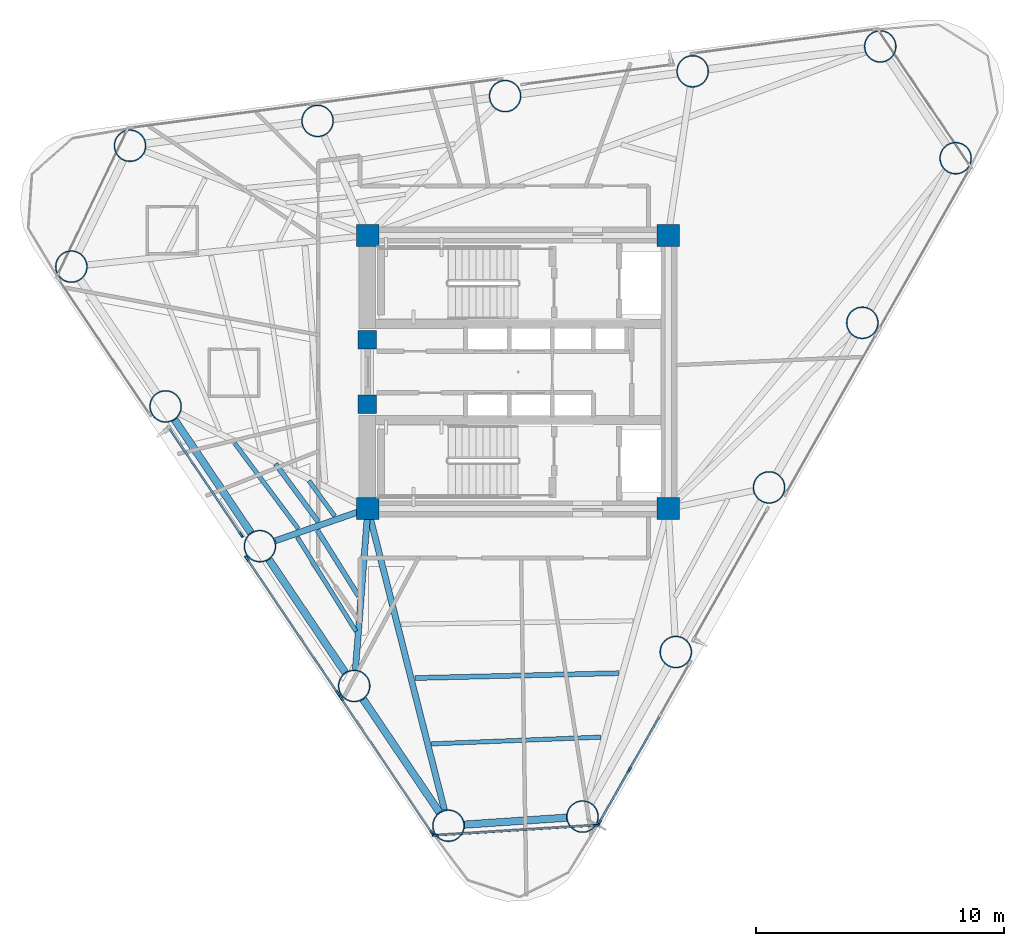
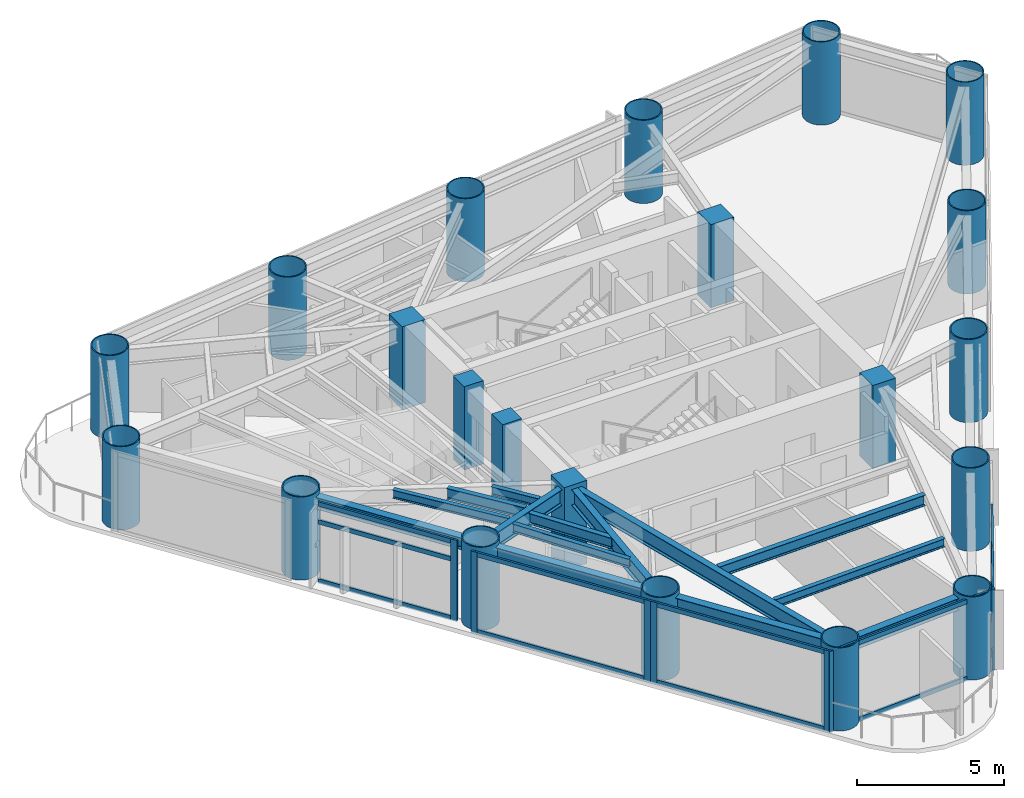
# One storey, part 1 of 10: 24 members, 21 columns, 14 beams, 5 elements without a shape of their own.
"""IFC4 building model written with IfcOpenShell, lengths in metres."""

import ifcopenshell
import ifcopenshell.guid

model = None  # the IFC model being written
_history = None  # IfcOwnerHistory: only IFC2X3 demands one
_inside = {}  # id of a spatial element -> (the spatial element, [elements in it])
_under = {}  # id of a project, library or spatial element -> (it, [spatial elements below it])
_declared = {}  # id of a project -> (the project, [libraries it declares])
_typed = {}  # id of a type object -> (the type object, [elements of that type])
_made_of = {}  # id of a material, layer set ... -> (it, [elements and type objects made of it])


def new_model(schema):
    """Start an empty IFC model of exactly this schema.

    Asked for "IFC4X3", IfcOpenShell would pick the latest addendum, in which some entities
    have other attributes; the version numbers below select the first issue.
    IFC2X3 requires an IfcOwnerHistory on every rooted entity: one is made here for all.
    """
    global model, _history
    if schema == "IFC4X3":
        model = ifcopenshell.file(schema_version=(4, 3, 0, 0))
    else:
        model = ifcopenshell.file(schema=schema)
    _inside.clear()
    _under.clear()
    _declared.clear()
    _typed.clear()
    _made_of.clear()
    _history = None
    if model.schema == "IFC2X3":
        org = make("IfcOrganization", Name="unknown")
        user = make(
            "IfcPersonAndOrganization",
            ThePerson=make("IfcPerson", FamilyName="unknown"),
            TheOrganization=org,
        )
        app = make(
            "IfcApplication",
            ApplicationDeveloper=org,
            Version="unknown",
            ApplicationFullName="unknown",
            ApplicationIdentifier="unknown",
        )
        _history = make(
            "IfcOwnerHistory",
            OwningUser=user,
            OwningApplication=app,
            ChangeAction="ADDED",
            CreationDate=0,
        )
    return model


def make(cls, **values):
    """One entity of the class cls with the attributes given. An attribute that is None is left unset."""
    return model.create_entity(
        cls, **{name: value for name, value in values.items() if value is not None}
    )


def rooted(cls, **values):
    """An entity with a GlobalId (a new one), such as an element, a storey or a relation."""
    return make(cls, GlobalId=ifcopenshell.guid.new(), OwnerHistory=_history, **values)


def si_unit(unit_type, name, prefix=None):
    """IfcSIUnit, for example si_unit("LENGTHUNIT", "METRE", prefix="MILLI")."""
    return make("IfcSIUnit", UnitType=unit_type, Prefix=prefix, Name=name)


def assignment(units):
    """IfcUnitAssignment: the units of a project."""
    return None if units is None else make("IfcUnitAssignment", Units=units)


def point(xyz):
    """IfcCartesianPoint."""
    return None if xyz is None else make("IfcCartesianPoint", Coordinates=xyz)


def direction(xyz):
    """IfcDirection."""
    return None if xyz is None else make("IfcDirection", DirectionRatios=xyz)


def frame(location, z_axis=None, x_axis=None):
    """IfcAxis2Placement3D, a coordinate frame: its origin and axes. An axis left out is left unset."""
    return make(
        "IfcAxis2Placement3D",
        Location=point(location),
        Axis=direction(z_axis),
        RefDirection=direction(x_axis),
    )


def frame_2d(location, x_axis=None):
    """IfcAxis2Placement2D, a coordinate frame in the plane: its origin and x axis."""
    return make(
        "IfcAxis2Placement2D", Location=point(location), RefDirection=direction(x_axis)
    )


def origin():
    """The frame at (0, 0, 0) with its axes left unset."""
    return frame((0.0, 0.0, 0.0))


def origin_2d():
    """The frame at (0, 0) in the plane with its x axis left unset."""
    return frame_2d((0.0, 0.0))


def place(relative_to, where):
    """IfcLocalPlacement: puts the frame where relative to a parent placement (None: the world)."""
    return make(
        "IfcLocalPlacement", PlacementRelTo=relative_to, RelativePlacement=where
    )


def context(
    kind, dimensions, precision=None, world=None, true_north=None, identifier=None
):
    """IfcGeometricRepresentationContext, for example the 3D "Model" context."""
    return make(
        "IfcGeometricRepresentationContext",
        ContextIdentifier=identifier,
        ContextType=kind,
        CoordinateSpaceDimension=dimensions,
        Precision=precision,
        WorldCoordinateSystem=world,
        TrueNorth=true_north,
    )


def subcontext(parent, identifier, kind, view, scale=None):
    """IfcGeometricRepresentationSubContext, for example "Body" below "Model"."""
    return make(
        "IfcGeometricRepresentationSubContext",
        ContextIdentifier=identifier,
        ContextType=kind,
        ParentContext=parent,
        TargetScale=scale,
        TargetView=view,
    )


def project(units=None, contexts=None):
    """IfcProject with its units and contexts."""
    return rooted(
        "IfcProject",
        Name="project",
        RepresentationContexts=contexts,
        UnitsInContext=assignment(units),
    )


def spatial(cls, under=None, at=None, **own):
    """A site, building, storey or space (cls), placed at a placement, below another one or the project."""
    s = rooted(cls, ObjectPlacement=at, **own)
    if under is not None:
        _under.setdefault(under.id(), (under, []))[1].append(s)
    return s


def profile(cls, at=None, kind="AREA", **sizes):
    """A parametric profile (cls). Its sizes go by their IFC names, for example OverallWidth=200.0."""
    return make(cls, ProfileType=kind, Position=at, **sizes)


def rectangle(**sizes):
    """IfcRectangleProfileDef."""
    return profile("IfcRectangleProfileDef", **sizes)


def hollow_circle(**sizes):
    """IfcCircleHollowProfileDef."""
    return profile("IfcCircleHollowProfileDef", **sizes)


def i_section(**sizes):
    """IfcIShapeProfileDef."""
    return profile("IfcIShapeProfileDef", **sizes)


def extrude(swept, where, along, depth):
    """IfcExtrudedAreaSolid: the profile swept, set in the frame where, extruded along a direction by depth."""
    return make(
        "IfcExtrudedAreaSolid",
        SweptArea=swept,
        Position=where,
        ExtrudedDirection=direction(along),
        Depth=depth,
    )


def shape(context_of_items, identifier, shape_type, items):
    """IfcShapeRepresentation: the items that make up one representation, for example the "Body"."""
    return make(
        "IfcShapeRepresentation",
        ContextOfItems=context_of_items,
        RepresentationIdentifier=identifier,
        RepresentationType=shape_type,
        Items=items,
    )


def source(mapping_origin, context_of_items, identifier, shape_type, items):
    """IfcRepresentationMap: a shape defined once, which mapped items show again and again."""
    return make(
        "IfcRepresentationMap",
        MappingOrigin=mapping_origin,
        MappedRepresentation=shape(context_of_items, identifier, shape_type, items),
    )


def transform(
    local_origin,
    x_axis=None,
    y_axis=None,
    z_axis=None,
    scale=None,
    scale2=None,
    scale3=None,
    uniform=True,
):
    """IfcCartesianTransformationOperator3D, or its non-uniform kind. x_axis, y_axis, z_axis: its Axis1, 2, 3."""
    if uniform:
        return make(
            "IfcCartesianTransformationOperator3D",
            Axis1=direction(x_axis),
            Axis2=direction(y_axis),
            LocalOrigin=point(local_origin),
            Scale=scale,
            Axis3=direction(z_axis),
        )
    return make(
        "IfcCartesianTransformationOperator3DnonUniform",
        Axis1=direction(x_axis),
        Axis2=direction(y_axis),
        LocalOrigin=point(local_origin),
        Scale=scale,
        Axis3=direction(z_axis),
        Scale2=scale2,
        Scale3=scale3,
    )


def mapped(mapping_source, mapping_target):
    """IfcMappedItem: shows the shape of a source again, moved by a transform."""
    return make(
        "IfcMappedItem", MappingSource=mapping_source, MappingTarget=mapping_target
    )


def material(Name=None, Category=None):
    """IfcMaterial."""
    return make("IfcMaterial", Name=Name, Category=Category)


def layer(
    of_material, thickness, ventilated=None, Name=None, Category=None, Priority=None
):
    """IfcMaterialLayer: one layer of a wall or slab, of a material (None: an air gap)."""
    return make(
        "IfcMaterialLayer",
        Material=of_material,
        LayerThickness=thickness,
        IsVentilated=ventilated,
        Name=Name,
        Category=Category,
        Priority=Priority,
    )


def layer_set(layers, Name=None):
    """IfcMaterialLayerSet."""
    return make("IfcMaterialLayerSet", MaterialLayers=layers, LayerSetName=Name)


def material_profile(
    of_material, cross_section, Name=None, Category=None, Priority=None
):
    """IfcMaterialProfile: a cross section and its material."""
    return make(
        "IfcMaterialProfile",
        Name=Name,
        Material=of_material,
        Profile=cross_section,
        Priority=Priority,
        Category=Category,
    )


def profile_set(profiles, Name=None, composite=None):
    """IfcMaterialProfileSet."""
    return make(
        "IfcMaterialProfileSet",
        Name=Name,
        MaterialProfiles=profiles,
        CompositeProfile=composite,
    )


def made_of(thing, what):
    """Note that an element or type object is made of a material, layer set ...; save() writes the relation."""
    if what is not None:
        _made_of.setdefault(what.id(), (what, []))[1].append(thing)
    return thing


def type_object(cls, material=None, **own):
    """A type object (cls), such as IfcWallType, which elements share."""
    return made_of(rooted(cls, **own), material)


def element(
    cls,
    number,
    at=None,
    inside=None,
    cuts=None,
    type_object=None,
    material=None,
    context=None,
    identifier="Body",
    shape_type=None,
    held_by="IfcProductDefinitionShape",
    body=None,
    shapes=None,
    **own,
):
    """One element of the class cls, such as IfcWall. Its Tag is "e" and its number.

    at: its placement. inside: the storey or other place that contains it. cuts: it is an
    opening in that element (IfcRelVoidsElement). A single representation is given by context,
    identifier, shape_type and body (its items); several are given by shapes. held_by: the class
    of the entity that holds the representations. save() writes the other relations.
    """
    e = rooted(cls, Tag="e%d" % number, ObjectPlacement=at, **own)
    if body is not None:
        shapes = [shape(context, identifier, shape_type, body)]
    if shapes is not None:
        e.Representation = make(held_by, Representations=shapes)
    if inside is not None:
        _inside.setdefault(inside.id(), (inside, []))[1].append(e)
    if cuts is not None:
        rooted(
            "IfcRelVoidsElement", RelatingBuildingElement=cuts, RelatedOpeningElement=e
        )
    if type_object is not None:
        _typed.setdefault(type_object.id(), (type_object, []))[1].append(e)
    return made_of(e, material)


def aggregate(whole, parts):
    """IfcRelAggregates: a whole, such as a stair, and the parts it consists of."""
    return rooted("IfcRelAggregates", RelatingObject=whole, RelatedObjects=parts)


def save(model, path):
    """Write the relations noted so far, then the file.

    IfcRelAggregates (storeys below a building ...), IfcRelContainedInSpatialStructure (elements
    in a storey), IfcRelDefinesByType, IfcRelAssociatesMaterial and IfcRelDeclares: one each for
    every whole, place, type object, material and project.
    """
    for whole, parts in _under.values():
        aggregate(whole, parts)
    for where, things in _inside.values():
        rooted(
            "IfcRelContainedInSpatialStructure",
            RelatedElements=things,
            RelatingStructure=where,
        )
    for kind, things in _typed.values():
        rooted("IfcRelDefinesByType", RelatedObjects=things, RelatingType=kind)
    for what, things in _made_of.values():
        rooted("IfcRelAssociatesMaterial", RelatedObjects=things, RelatingMaterial=what)
    for by, libraries in _declared.values():
        rooted("IfcRelDeclares", RelatingContext=by, RelatedDefinitions=libraries)
    model.write(path)


model = new_model("IFC4")

# Units and contexts
model_context = context("Model", 3, precision=1e-05, world=origin(), true_north=direction((0.0, 1.0)))
body_context = subcontext(model_context, "Body", "Model", "MODEL_VIEW")
ifc_project = project(units=[si_unit("LENGTHUNIT", "METRE"), si_unit("AREAUNIT", "SQUARE_METRE"), si_unit("VOLUMEUNIT", "CUBIC_METRE"), si_unit("PLANEANGLEUNIT", "RADIAN"), si_unit("MASSUNIT", "GRAM", prefix="KILO")], contexts=[model_context])

# Site, building, storey
site_placement = place(None, origin())
site = spatial("IfcSite", under=ifc_project, at=site_placement, CompositionType="ELEMENT")
building_placement = place(site_placement, origin())
building = spatial("IfcBuilding", under=site, at=building_placement, Name="Yunling Apex Tower", CompositionType="ELEMENT")
storey_placement = place(building_placement, frame((0.0, 0.0, 158.75)))
storey = spatial("IfcBuildingStorey", under=building, at=storey_placement, Name="L38", CompositionType="ELEMENT", Elevation=158.75)

# Columns
ifc_material_1 = material(Name="Concrete C60", Category="concrete")
ifc_material_profile_1 = material_profile(ifc_material_1, rectangle(XDim=0.89990234375, YDim=0.89990234375, at=origin_2d()))
ifc_profile_set_1 = profile_set([ifc_material_profile_1], Name="Concrete C60")
column_type_1 = type_object("IfcColumnType", Name="PC-SRC-3", PredefinedType="COLUMN", material=ifc_profile_set_1)
shared_shape_1 = source(origin(), body_context, "Body", "SweptSolid", [
    extrude(rectangle(XDim=0.89990234375, YDim=0.89990234375, at=origin_2d()), origin(), (0.0, 0.0, 1.0), 3.449951171875),
])
for number, where, z_axis, x_axis, name in (
    (1, (-6.050048828125, -5.5, 0.0), (0.0, 0.0, 1.0), (1.0, 0.0, 0.0), "L38 Core Spine Column CC-SW"),
    (2, (6.050048828125, -5.5, 0.0), (0.0, 0.0, 1.0), (1.0, 0.0, 0.0), "L38 Core Spine Column CC-SE"),
    (3, (6.050048828125, 5.5, 0.0), (0.0, 0.0, 1.0), (1.0, 0.0, 0.0), "L38 Core Spine Column CC-NE"),
    (4, (-6.050048828125, 5.5, 0.0), (0.0, 0.0, 1.0), (1.0, 0.0, 0.0), "L38 Core Spine Column CC-NW"),
):
    element("IfcColumn", number, at=place(storey_placement, frame(where, z_axis=z_axis, x_axis=x_axis)), inside=storey, type_object=column_type_1, Name=name, PredefinedType="COLUMN", context=body_context, shape_type="MappedRepresentation", body=[
        mapped(shared_shape_1, transform((0.0, 0.0, 0.0), scale=1.0)),
    ])
ifc_material_2 = material(Name="Concrete C50", Category="concrete")
ifc_material_profile_2 = material_profile(ifc_material_2, rectangle(XDim=0.75, YDim=0.75, at=origin_2d()))
ifc_profile_set_2 = profile_set([ifc_material_profile_2], Name="Concrete C50")
column_type_2 = type_object("IfcColumnType", Name="PC-SRC-4", PredefinedType="COLUMN", material=ifc_profile_set_2)
shared_shape_2 = source(origin(), body_context, "Body", "SweptSolid", [
    extrude(rectangle(XDim=0.75, YDim=0.75, at=origin_2d()), origin(), (0.0, 0.0, 1.0), 3.449951171875),
])
for number, where, z_axis, x_axis, name in (
    (5, (-6.074951171875, -1.300048828125, 0.0), (0.0, 0.0, 1.0), (1.0, 0.0, 0.0), "L38 Core West Portal Jamb Column S"),
    (6, (-6.074951171875, 1.300048828125, 0.0), (0.0, 0.0, 1.0), (1.0, 0.0, 0.0), "L38 Core West Portal Jamb Column N"),
):
    element("IfcColumn", number, at=place(storey_placement, frame(where, z_axis=z_axis, x_axis=x_axis)), inside=storey, type_object=column_type_2, Name=name, PredefinedType="COLUMN", context=body_context, shape_type="MappedRepresentation", body=[
        mapped(shared_shape_2, transform((0.0, 0.0, 0.0), scale=1.0)),
    ])
ifc_material_3 = material(Name="Steel Q390GJC", Category="steel")
ifc_material_profile_3 = material_profile(ifc_material_3, hollow_circle(Radius=0.64990234375, WallThickness=0.044921875, at=origin_2d()))
ifc_profile_set_3 = profile_set([ifc_material_profile_3], Name="Steel Q390GJC")
column_type_3 = type_object("IfcColumnType", Name="MC-CFST-3", PredefinedType="COLUMN", material=ifc_profile_set_3)
shared_shape_3 = source(origin(), body_context, "Body", "SweptSolid", [
    extrude(hollow_circle(Radius=0.64990234375, WallThickness=0.044921875, at=origin_2d()), origin(), (0.0, 0.0, 1.0), 3.449951171875),
])
for number, where, z_axis, x_axis, name in (
    (7, (2.5947265625, -17.907958984375, 0.0), (0.0, 0.0, 1.0), (1.0, 0.0, 0.0), "L38 Perimeter CFST Mega-Column P01"),
    (8, (6.351806640625, -11.27783203125, 0.0), (0.0, 0.0, 1.0), (1.0, 0.0, 0.0), "L38 Perimeter CFST Mega-Column P02"),
    (9, (10.109130859375, -4.64794921875, 0.0), (0.0, 0.0, 1.0), (1.0, 0.0, 0.0), "L38 Perimeter CFST Mega-Column P03"),
    (10, (13.8662109375, 1.982177734375, 0.0), (0.0, 0.0, 1.0), (1.0, 0.0, 0.0), "L38 Perimeter CFST Mega-Column P04"),
    (11, (17.62353515625, 8.612060546875, 0.0), (0.0, 0.0, 1.0), (1.0, 0.0, 0.0), "L38 Perimeter CFST Mega-Column P05"),
    (12, (14.5869140625, 13.114013671875, 0.0), (0.0, 0.0, 1.0), (1.0, 0.0, 0.0), "L38 Perimeter CFST Mega-Column P06"),
    (13, (7.0322265625, 12.114013671875, 0.0), (0.0, 0.0, 1.0), (1.0, 0.0, 0.0), "L38 Perimeter CFST Mega-Column P07"),
    (14, (-0.5224609375, 11.114013671875, 0.0), (0.0, 0.0, 1.0), (1.0, 0.0, 0.0), "L38 Perimeter CFST Mega-Column P08"),
    (15, (-8.0771484375, 10.1142578125, 0.0), (0.0, 0.0, 1.0), (1.0, 0.0, 0.0), "L38 Perimeter CFST Mega-Column P09"),
    (16, (-15.6318359375, 9.1142578125, 0.0), (0.0, 0.0, 1.0), (1.0, 0.0, 0.0), "L38 Perimeter CFST Mega-Column P10"),
    (17, (-17.9951171875, 4.2451171875, 0.0), (0.0, 0.0, 1.0), (1.0, 0.0, 0.0), "L38 Perimeter CFST Mega-Column P11"),
    (18, (-14.197509765625, -1.384765625, 0.0), (0.0, 0.0, 1.0), (1.0, 0.0, 0.0), "L38 Perimeter CFST Mega-Column P12"),
    (19, (-10.39990234375, -7.014892578125, 0.0), (0.0, 0.0, 1.0), (1.0, 0.0, 0.0), "L38 Perimeter CFST Mega-Column P13"),
    (20, (-6.6025390625, -12.64501953125, 0.0), (0.0, 0.0, 1.0), (1.0, 0.0, 0.0), "L38 Perimeter CFST Mega-Column P14"),
    (21, (-2.804931640625, -18.27490234375, 0.0), (0.0, 0.0, 1.0), (1.0, 0.0, 0.0), "L38 Perimeter CFST Mega-Column P15"),
):
    element("IfcColumn", number, at=place(storey_placement, frame(where, z_axis=z_axis, x_axis=x_axis)), inside=storey, type_object=column_type_3, Name=name, PredefinedType="COLUMN", context=body_context, shape_type="MappedRepresentation", body=[
        mapped(shared_shape_3, transform((0.0, 0.0, 0.0), scale=1.0)),
    ])

# Beams
ifc_material_4 = material(Name="Steel Q355B", Category="steel")
ifc_material_profile_4 = material_profile(ifc_material_4, i_section(OverallWidth=0.300048828125, OverallDepth=0.489990234375, WebThickness=0.010986328125, FlangeThickness=0.01806640625, FilletRadius=0.02197265625, at=origin_2d()))
ifc_profile_set_4 = profile_set([ifc_material_profile_4], Name="Steel Q355B")
beam_type_1 = type_object("IfcBeamType", Name="BP-SPN-2", PredefinedType="SPANDREL", material=ifc_profile_set_4)
shared_shape_4 = source(origin(), body_context, "Body", "SweptSolid", [
    extrude(i_section(OverallWidth=0.300048828125, OverallDepth=0.489990234375, WebThickness=0.010986328125, FlangeThickness=0.01806640625, FilletRadius=0.02197265625, at=origin_2d()), origin(), (0.0, 0.0, 1.0), 5.5029296875),
])
beam_1_placement = place(storey_placement, frame((-10.039794921875, -7.548828125, 3.02490234375), z_axis=(0.559176417619, -0.829048692164, 0.0), x_axis=(0.829048692164, 0.559176417619, 0.0)))
element("IfcBeam", 22, at=beam_1_placement, inside=storey, type_object=beam_type_1, Name="L38 Perimeter Spandrel Beam 13", PredefinedType="SPANDREL", context=body_context, shape_type="MappedRepresentation", body=[
    mapped(shared_shape_4, transform((0.0, 0.0, 0.0), scale=1.0)),
])
shared_shape_5 = source(origin(), body_context, "Body", "SweptSolid", [
    extrude(i_section(OverallWidth=0.300048828125, OverallDepth=0.489990234375, WebThickness=0.010986328125, FlangeThickness=0.01806640625, FilletRadius=0.02197265625, at=origin_2d()), origin(), (0.0, 0.0, 1.0), 5.503173828125),
])
beam_2_placement = place(storey_placement, frame((-13.83740234375, -1.918701171875, 3.02490234375), z_axis=(0.55920690951, -0.82902812519, 0.0), x_axis=(0.82902812519, 0.55920690951, 0.0)))
element("IfcBeam", 23, at=beam_2_placement, inside=storey, type_object=beam_type_1, Name="L38 Perimeter Spandrel Beam 12", PredefinedType="SPANDREL", context=body_context, shape_type="MappedRepresentation", body=[
    mapped(shared_shape_5, transform((0.0, 0.0, 0.0), scale=1.0)),
])
shared_shape_6 = source(origin(), body_context, "Body", "SweptSolid", [
    extrude(i_section(OverallWidth=0.300048828125, OverallDepth=0.489990234375, WebThickness=0.010986328125, FlangeThickness=0.01806640625, FilletRadius=0.02197265625, at=origin_2d()), origin(), (0.0, 0.0, 1.0), 5.50341796875),
])
beam_3_placement = place(storey_placement, frame((-6.242431640625, -13.1787109375, 3.02490234375), z_axis=(0.55918634307, -0.829041997564, 0.0), x_axis=(0.829041997564, 0.55918634307, 0.0)))
element("IfcBeam", 24, at=beam_3_placement, inside=storey, type_object=beam_type_1, Name="L38 Perimeter Spandrel Beam 14", PredefinedType="SPANDREL", context=body_context, shape_type="MappedRepresentation", body=[
    mapped(shared_shape_6, transform((0.0, 0.0, 0.0), scale=1.0)),
])
shared_shape_7 = source(origin(), body_context, "Body", "SweptSolid", [
    extrude(i_section(OverallWidth=0.300048828125, OverallDepth=0.489990234375, WebThickness=0.010986328125, FlangeThickness=0.01806640625, FilletRadius=0.02197265625, at=origin_2d()), origin(), (0.0, 0.0, 1.0), 4.124267578125),
])
beam_4_placement = place(storey_placement, frame((-2.16259765625, -18.231201171875, 3.02490234375), z_axis=(0.997700280582, 0.067780160274, 0.0), x_axis=(-0.067780160274, 0.997700280582, 0.0)))
element("IfcBeam", 25, at=beam_4_placement, inside=storey, type_object=beam_type_1, Name="L38 Perimeter Spandrel Beam 15", PredefinedType="SPANDREL", context=body_context, shape_type="MappedRepresentation", body=[
    mapped(shared_shape_7, transform((0.0, 0.0, 0.0), scale=1.0)),
])
ifc_material_profile_5 = material_profile(ifc_material_4, i_section(OverallWidth=0.25, OverallDepth=0.64990234375, WebThickness=0.011962890625, FlangeThickness=0.02001953125, FilletRadius=0.02392578125, at=origin_2d()))
ifc_profile_set_5 = profile_set([ifc_material_profile_5], Name="Steel Q355B")
beam_type_2 = type_object("IfcBeamType", Name="BG-PRI-4", PredefinedType="USERDEFINED", material=ifc_profile_set_5)
shared_shape_8 = source(origin(), body_context, "Body", "SweptSolid", [
    extrude(i_section(OverallWidth=0.25, OverallDepth=0.64990234375, WebThickness=0.011962890625, FlangeThickness=0.02001953125, FilletRadius=0.02392578125, at=origin_2d()), origin(), (0.0, 0.0, 1.0), 3.8681640625),
])
beam_5_placement = place(storey_placement, frame((-9.778564453125, -6.798583984375, 2.945068359375), z_axis=(0.944369860351, 0.328885339991, 0.0), x_axis=(-0.328885339991, 0.944369860351, 0.0)))
element("IfcBeam", 26, at=beam_5_placement, inside=storey, type_object=beam_type_2, Name="L38 Radial Primary Girder R13", ObjectType="GIRDER", PredefinedType="USERDEFINED", context=body_context, shape_type="MappedRepresentation", body=[
    mapped(shared_shape_8, transform((0.0, 0.0, 0.0), scale=1.0)),
])
shared_shape_9 = source(origin(), body_context, "Body", "SweptSolid", [
    extrude(i_section(OverallWidth=0.25, OverallDepth=0.64990234375, WebThickness=0.011962890625, FlangeThickness=0.02001953125, FilletRadius=0.02392578125, at=origin_2d()), origin(), (0.0, 0.0, 1.0), 6.42822265625),
])
beam_6_placement = place(storey_placement, frame((-6.5517578125, -11.989013671875, 2.945068359375), z_axis=(0.077097282386, 0.997023574971, 0.0), x_axis=(-0.997023574971, 0.077097282386, 0.0)))
element("IfcBeam", 27, at=beam_6_placement, inside=storey, type_object=beam_type_2, Name="L38 Radial Primary Girder R14", ObjectType="GIRDER", PredefinedType="USERDEFINED", context=body_context, shape_type="MappedRepresentation", body=[
    mapped(shared_shape_9, transform((0.0, 0.0, 0.0), scale=1.0)),
])
shared_shape_10 = source(origin(), body_context, "Body", "SweptSolid", [
    extrude(i_section(OverallWidth=0.25, OverallDepth=0.64990234375, WebThickness=0.011962890625, FlangeThickness=0.02001953125, FilletRadius=0.02392578125, at=origin_2d()), origin(), (0.0, 0.0, 1.0), 12.44287109375),
])
beam_7_placement = place(storey_placement, frame((-2.967041015625, -17.63720703125, 2.945068359375), z_axis=(-0.246185736667, 0.969222669494, 0.0), x_axis=(-0.969222669494, -0.246185736667, 0.0)))
element("IfcBeam", 28, at=beam_7_placement, inside=storey, type_object=beam_type_2, Name="L38 Radial Primary Girder R15", ObjectType="GIRDER", PredefinedType="USERDEFINED", context=body_context, shape_type="MappedRepresentation", body=[
    mapped(shared_shape_10, transform((0.0, 0.0, 0.0), scale=1.0)),
])
ifc_material_profile_6 = material_profile(ifc_material_4, i_section(OverallWidth=0.199951171875, OverallDepth=0.449951171875, WebThickness=0.009033203125, FlangeThickness=0.013916015625, FilletRadius=0.01806640625, at=origin_2d()))
ifc_profile_set_6 = profile_set([ifc_material_profile_6], Name="Steel Q355B")
beam_type_3 = type_object("IfcBeamType", Name="BS-SEC-3", PredefinedType="BEAM", material=ifc_profile_set_6)
shared_shape_11 = source(origin(), body_context, "Body", "SweptSolid", [
    extrude(i_section(OverallWidth=0.199951171875, OverallDepth=0.449951171875, WebThickness=0.009033203125, FlangeThickness=0.013916015625, FilletRadius=0.01806640625, at=origin_2d()), origin(), (0.0, 0.0, 1.0), 2.900146484375),
])
beam_8_placement = place(storey_placement, frame((-9.770751953125, -3.701416015625, 3.044921875), z_axis=(0.594341352087, -0.804212880523, 0.0), x_axis=(0.804212880523, 0.594341352087, 0.0)))
element("IfcBeam", 29, at=beam_8_placement, inside=storey, type_object=beam_type_3, Name="L38 Composite Floor Beam BS-12", PredefinedType="BEAM", context=body_context, shape_type="MappedRepresentation", body=[
    mapped(shared_shape_11, transform((0.0, 0.0, 0.0), scale=1.0)),
])
ifc_material_profile_7 = material_profile(ifc_material_4, i_section(OverallWidth=0.175048828125, OverallDepth=0.35009765625, WebThickness=0.007080078125, FlangeThickness=0.010986328125, FilletRadius=0.013916015625, at=origin_2d()))
ifc_profile_set_7 = profile_set([ifc_material_profile_7], Name="Steel Q355B")
beam_type_4 = type_object("IfcBeamType", Name="BJ-JST-1", PredefinedType="JOIST", material=ifc_profile_set_7)
shared_shape_12 = source(origin(), body_context, "Body", "SweptSolid", [
    extrude(i_section(OverallWidth=0.175048828125, OverallDepth=0.35009765625, WebThickness=0.007080078125, FlangeThickness=0.010986328125, FilletRadius=0.013916015625, at=origin_2d()), origin(), (0.0, 0.0, 1.0), 4.2958984375),
])
beam_9_placement = place(storey_placement, frame((-11.417724609375, -2.868896484375, 3.094970703125), z_axis=(0.597405367493, -0.801939415972, 0.0), x_axis=(0.801939415972, 0.597405367493, 0.0)))
element("IfcBeam", 30, at=beam_9_placement, inside=storey, type_object=beam_type_4, Name="L38 Composite Floor Joist BJ1-12", PredefinedType="JOIST", context=body_context, shape_type="MappedRepresentation", body=[
    mapped(shared_shape_12, transform((0.0, 0.0, 0.0), scale=1.0)),
])
shared_shape_13 = source(origin(), body_context, "Body", "SweptSolid", [
    extrude(i_section(OverallWidth=0.175048828125, OverallDepth=0.35009765625, WebThickness=0.007080078125, FlangeThickness=0.010986328125, FilletRadius=0.013916015625, at=origin_2d()), origin(), (0.0, 0.0, 1.0), 1.75830078125),
])
beam_10_placement = place(storey_placement, frame((-8.423583984375, -4.3828125, 3.094970703125), z_axis=(0.58860919459, -0.808417723732, 0.0), x_axis=(0.808417723732, 0.58860919459, 0.0)))
element("IfcBeam", 31, at=beam_10_placement, inside=storey, type_object=beam_type_4, Name="L38 Composite Floor Joist BJ3-12", PredefinedType="JOIST", context=body_context, shape_type="MappedRepresentation", body=[
    mapped(shared_shape_13, transform((0.0, 0.0, 0.0), scale=1.0)),
])
shared_shape_14 = source(origin(), body_context, "Body", "SweptSolid", [
    extrude(i_section(OverallWidth=0.199951171875, OverallDepth=0.449951171875, WebThickness=0.009033203125, FlangeThickness=0.013916015625, FilletRadius=0.01806640625, at=origin_2d()), origin(), (0.0, 0.0, 1.0), 3.138427734375),
])
beam_11_placement = place(storey_placement, frame((-8.086181640625, -6.374267578125, 3.044921875), z_axis=(0.531291876234, -0.847188846862, 0.0), x_axis=(0.847188846862, 0.531291876234, 0.0)))
element("IfcBeam", 32, at=beam_11_placement, inside=storey, type_object=beam_type_3, Name="L38 Composite Floor Beam BS-13", PredefinedType="BEAM", context=body_context, shape_type="MappedRepresentation", body=[
    mapped(shared_shape_14, transform((0.0, 0.0, 0.0), scale=1.0)),
])
shared_shape_15 = source(origin(), body_context, "Body", "SweptSolid", [
    extrude(i_section(OverallWidth=0.175048828125, OverallDepth=0.35009765625, WebThickness=0.007080078125, FlangeThickness=0.010986328125, FilletRadius=0.013916015625, at=origin_2d()), origin(), (0.0, 0.0, 1.0), 4.46533203125),
])
beam_12_placement = place(storey_placement, frame((-8.890380859375, -6.654296875, 3.094970703125), z_axis=(0.529197625192, -0.848498599581, 0.0), x_axis=(0.848498599581, 0.529197625192, 0.0)))
element("IfcBeam", 33, at=beam_12_placement, inside=storey, type_object=beam_type_4, Name="L38 Composite Floor Joist BJ1-13", PredefinedType="JOIST", context=body_context, shape_type="MappedRepresentation", body=[
    mapped(shared_shape_15, transform((0.0, 0.0, 0.0), scale=1.0)),
])
shared_shape_16 = source(origin(), body_context, "Body", "SweptSolid", [
    extrude(i_section(OverallWidth=0.199951171875, OverallDepth=0.449951171875, WebThickness=0.009033203125, FlangeThickness=0.013916015625, FilletRadius=0.01806640625, at=origin_2d()), origin(), (0.0, 0.0, 1.0), 8.20166015625),
])
beam_13_placement = place(storey_placement, frame((-4.15478515625, -12.3271484375, 3.044921875), z_axis=(0.999714273785, 0.023903363562, 0.0), x_axis=(-0.023903363562, 0.999714273785, 0.0)))
element("IfcBeam", 34, at=beam_13_placement, inside=storey, type_object=beam_type_3, Name="L38 Composite Floor Beam BS-15", PredefinedType="BEAM", context=body_context, shape_type="MappedRepresentation", body=[
    mapped(shared_shape_16, transform((0.0, 0.0, 0.0), scale=1.0)),
])
shared_shape_17 = source(origin(), body_context, "Body", "SweptSolid", [
    extrude(i_section(OverallWidth=0.175048828125, OverallDepth=0.35009765625, WebThickness=0.007080078125, FlangeThickness=0.010986328125, FilletRadius=0.013916015625, at=origin_2d()), origin(), (0.0, 0.0, 1.0), 6.814453125),
])
beam_14_placement = place(storey_placement, frame((-3.481201171875, -14.977783203125, 3.094970703125), z_axis=(0.999210374008, 0.039731957862, 0.0), x_axis=(-0.039731957862, 0.999210374008, 0.0)))
element("IfcBeam", 35, at=beam_14_placement, inside=storey, type_object=beam_type_4, Name="L38 Composite Floor Joist BJ1-15", PredefinedType="JOIST", context=body_context, shape_type="MappedRepresentation", body=[
    mapped(shared_shape_17, transform((0.0, 0.0, 0.0), scale=1.0)),
])

# Curtain wall, members
ifc_material_5 = material(Name="Bronze anodised aluminium", Category="aluminium")
ifc_layer = layer(ifc_material_5, 0.239990234375)
ifc_layer_set = layer_set([ifc_layer], Name="Bronze anodised aluminium")
curtain_wall_type = type_object("IfcCurtainWallType", Name="CW-SYS-3", PredefinedType="NOTDEFINED", material=ifc_layer_set)
curtain_wall_1_placement = place(storey_placement, origin())
curtain_wall_1 = element("IfcCurtainWall", 36, at=curtain_wall_1_placement, inside=storey, type_object=curtain_wall_type, Name="CW-L38-F1-B1", PredefinedType="NOTDEFINED")
ifc_material_profile_8 = material_profile(ifc_material_5, rectangle(XDim=0.080078125, YDim=0.239990234375, at=origin_2d()))
ifc_profile_set_8 = profile_set([ifc_material_profile_8], Name="Bronze anodised aluminium")
member_type_1 = type_object("IfcMemberType", Name="CW-MUL-3", PredefinedType="MULLION", material=ifc_profile_set_8)
shared_shape_18 = source(origin(), body_context, "Body", "SweptSolid", [
    extrude(rectangle(XDim=0.080078125, YDim=0.239990234375, at=origin_2d()), origin(), (0.0, 0.0, 1.0), 3.3701171875),
])
member_1_placement = place(storey_placement, frame((3.271484375, -18.153564453125, -0.050048828125), z_axis=(0.0, 0.0, 1.0), x_axis=(-0.870006087438, 0.493040979859, 0.0)))
member_1 = element("IfcMember", 37, at=member_1_placement, type_object=member_type_1, Name="CW-SYS-3 mullion 1", PredefinedType="MULLION", context=body_context, shape_type="MappedRepresentation", body=[
    mapped(shared_shape_18, transform((0.0, 0.0, 0.0), scale=1.0)),
])
member_2_placement = place(storey_placement, frame((4.47802734375, -16.02490234375, -0.050048828125), z_axis=(0.0, 0.0, 1.0), x_axis=(-0.870006087438, 0.493040979859, 0.0)))
member_2 = element("IfcMember", 38, at=member_2_placement, type_object=member_type_1, Name="CW-SYS-3 mullion 2", PredefinedType="MULLION", context=body_context, shape_type="MappedRepresentation", body=[
    mapped(shared_shape_18, transform((0.0, 0.0, 0.0), scale=1.0)),
])

# Curtain wall, member
curtain_wall_2_placement = place(storey_placement, origin())
curtain_wall_2 = element("IfcCurtainWall", 39, at=curtain_wall_2_placement, inside=storey, type_object=curtain_wall_type, Name="CW-L38-F3-B2", PredefinedType="NOTDEFINED")
member_3_placement = place(storey_placement, frame((-11.15966796875, -6.55029296875, -0.050048828125), z_axis=(0.0, 0.0, 1.0), x_axis=(0.829026137089, 0.559209856873, 0.0)))
member_3 = element("IfcMember", 40, at=member_3_placement, type_object=member_type_1, Name="CW-SYS-3 mullion 2", PredefinedType="MULLION", context=body_context, shape_type="MappedRepresentation", body=[
    mapped(shared_shape_18, transform((0.0, 0.0, 0.0), scale=1.0)),
])

# Curtain wall, members
curtain_wall_3_placement = place(storey_placement, origin())
curtain_wall_3 = element("IfcCurtainWall", 41, at=curtain_wall_3_placement, inside=storey, type_object=curtain_wall_type, Name="CW-L38-F3-B3", PredefinedType="NOTDEFINED")
member_4_placement = place(storey_placement, frame((-10.921630859375, -7.511474609375, -0.050048828125), z_axis=(0.0, 0.0, 1.0), x_axis=(0.829040587205, 0.559188434042, 0.0)))
member_4 = element("IfcMember", 42, at=member_4_placement, type_object=member_type_1, Name="CW-SYS-3 mullion 1", PredefinedType="MULLION", context=body_context, shape_type="MappedRepresentation", body=[
    mapped(shared_shape_18, transform((0.0, 0.0, 0.0), scale=1.0)),
])
member_5_placement = place(storey_placement, frame((-7.25830078125, -12.9423828125, -0.050048828125), z_axis=(0.0, 0.0, 1.0), x_axis=(0.829040587205, 0.559188434042, 0.0)))
member_5 = element("IfcMember", 43, at=member_5_placement, type_object=member_type_1, Name="CW-SYS-3 mullion 2", PredefinedType="MULLION", context=body_context, shape_type="MappedRepresentation", body=[
    mapped(shared_shape_18, transform((0.0, 0.0, 0.0), scale=1.0)),
])

curtain_wall_4_placement = place(storey_placement, origin())
curtain_wall_4 = element("IfcCurtainWall", 44, at=curtain_wall_4_placement, inside=storey, type_object=curtain_wall_type, Name="CW-L38-F3-B4", PredefinedType="NOTDEFINED")
member_6_placement = place(storey_placement, frame((-7.1240234375, -13.141357421875, -0.050048828125), z_axis=(0.0, 0.0, 1.0), x_axis=(0.829045302692, 0.559181442901, 0.0)))
member_6 = element("IfcMember", 45, at=member_6_placement, type_object=member_type_1, Name="CW-SYS-3 mullion 1", PredefinedType="MULLION", context=body_context, shape_type="MappedRepresentation", body=[
    mapped(shared_shape_18, transform((0.0, 0.0, 0.0), scale=1.0)),
])
member_7_placement = place(storey_placement, frame((-3.460693359375, -18.572509765625, -0.050048828125), z_axis=(0.0, 0.0, 1.0), x_axis=(0.829045302692, 0.559181442901, 0.0)))
member_7 = element("IfcMember", 46, at=member_7_placement, type_object=member_type_1, Name="CW-SYS-3 mullion 2", PredefinedType="MULLION", context=body_context, shape_type="MappedRepresentation", body=[
    mapped(shared_shape_18, transform((0.0, 0.0, 0.0), scale=1.0)),
])

curtain_wall_5_placement = place(storey_placement, origin())
curtain_wall_5 = element("IfcCurtainWall", 47, at=curtain_wall_5_placement, inside=storey, type_object=curtain_wall_type, Name="CW-L38-CRN3", PredefinedType="NOTDEFINED")
member_8_placement = place(storey_placement, frame((-3.337158203125, -18.658203125, -0.050048828125), z_axis=(0.0, 0.0, 1.0), x_axis=(-0.062672311308, 0.998034158431, 0.0)))
member_8 = element("IfcMember", 48, at=member_8_placement, type_object=member_type_1, Name="CW-SYS-3 mullion 1", PredefinedType="MULLION", context=body_context, shape_type="MappedRepresentation", body=[
    mapped(shared_shape_18, transform((0.0, 0.0, 0.0), scale=1.0)),
])
member_9_placement = place(storey_placement, frame((3.155029296875, -18.25048828125, -0.050048828125), z_axis=(0.0, 0.0, 1.0), x_axis=(-0.062672311308, 0.998034158431, 0.0)))
member_9 = element("IfcMember", 49, at=member_9_placement, type_object=member_type_1, Name="CW-SYS-3 mullion 2", PredefinedType="MULLION", context=body_context, shape_type="MappedRepresentation", body=[
    mapped(shared_shape_18, transform((0.0, 0.0, 0.0), scale=1.0)),
])

# Member
ifc_material_profile_9 = material_profile(ifc_material_5, rectangle(XDim=0.080078125, YDim=0.18505859375, at=origin_2d()))
ifc_profile_set_9 = profile_set([ifc_material_profile_9], Name="Bronze anodised aluminium")
member_type_2 = type_object("IfcMemberType", Name="CW-TRN-3", PredefinedType="USERDEFINED", material=ifc_profile_set_9)
shared_shape_19 = source(origin(), body_context, "Body", "SweptSolid", [
    extrude(rectangle(XDim=0.080078125, YDim=0.18505859375, at=origin_2d()), origin(), (0.0, 0.0, 1.0), 2.374755859375),
])
member_10_placement = place(storey_placement, frame((3.289306640625, -18.122314453125, 0.0400390625), z_axis=(0.493035916127, 0.870008957085, 0.0), x_axis=(-0.870008957085, 0.493035916127, 0.0)))
member_10 = element("IfcMember", 50, at=member_10_placement, type_object=member_type_2, Name="CW-SYS-3 transom 1.1", ObjectType="TRANSOM", PredefinedType="USERDEFINED", context=body_context, shape_type="MappedRepresentation", body=[
    mapped(shared_shape_19, transform((0.0, 0.0, 0.0), scale=1.0)),
])

member_11_placement = place(storey_placement, frame((3.289306640625, -18.122314453125, 2.485107421875), z_axis=(0.493035916127, 0.870008957085, 0.0), x_axis=(-0.870008957085, 0.493035916127, 0.0)))
member_11 = element("IfcMember", 51, at=member_11_placement, type_object=member_type_2, Name="CW-SYS-3 transom 1.2", ObjectType="TRANSOM", PredefinedType="USERDEFINED", context=body_context, shape_type="MappedRepresentation", body=[
    mapped(shared_shape_19, transform((0.0, 0.0, 0.0), scale=1.0)),
])

member_12_placement = place(storey_placement, frame((3.289306640625, -18.122314453125, 3.22998046875), z_axis=(0.493035916127, 0.870008957085, 0.0), x_axis=(-0.870008957085, 0.493035916127, 0.0)))
member_12 = element("IfcMember", 52, at=member_12_placement, type_object=member_type_2, Name="CW-SYS-3 transom 1.3", ObjectType="TRANSOM", PredefinedType="USERDEFINED", context=body_context, shape_type="MappedRepresentation", body=[
    mapped(shared_shape_19, transform((0.0, 0.0, 0.0), scale=1.0)),
])

shared_shape_20 = source(origin(), body_context, "Body", "SweptSolid", [
    extrude(rectangle(XDim=0.080078125, YDim=0.18505859375, at=origin_2d()), origin(), (0.0, 0.0, 1.0), 2.414794921875),
])
member_13_placement = place(storey_placement, frame((4.49560546875, -15.993408203125, 0.0400390625), z_axis=(0.49307634424, 0.869986045147, 0.0), x_axis=(-0.869986045147, 0.49307634424, 0.0)))
member_13 = element("IfcMember", 53, at=member_13_placement, type_object=member_type_2, Name="CW-SYS-3 transom 2.1", ObjectType="TRANSOM", PredefinedType="USERDEFINED", context=body_context, shape_type="MappedRepresentation", body=[
    mapped(shared_shape_20, transform((0.0, 0.0, 0.0), scale=1.0)),
])

member_14_placement = place(storey_placement, frame((4.49560546875, -15.993408203125, 2.485107421875), z_axis=(0.49307634424, 0.869986045147, 0.0), x_axis=(-0.869986045147, 0.49307634424, 0.0)))
member_14 = element("IfcMember", 54, at=member_14_placement, type_object=member_type_2, Name="CW-SYS-3 transom 2.2", ObjectType="TRANSOM", PredefinedType="USERDEFINED", context=body_context, shape_type="MappedRepresentation", body=[
    mapped(shared_shape_20, transform((0.0, 0.0, 0.0), scale=1.0)),
])

member_15_placement = place(storey_placement, frame((4.49560546875, -15.993408203125, 3.22998046875), z_axis=(0.49307634424, 0.869986045147, 0.0), x_axis=(-0.869986045147, 0.49307634424, 0.0)))
member_15 = element("IfcMember", 55, at=member_15_placement, type_object=member_type_2, Name="CW-SYS-3 transom 2.3", ObjectType="TRANSOM", PredefinedType="USERDEFINED", context=body_context, shape_type="MappedRepresentation", body=[
    mapped(shared_shape_20, transform((0.0, 0.0, 0.0), scale=1.0)),
])

aggregate(curtain_wall_1, [member_1, member_2, member_10, member_11, member_12, member_13, member_14, member_15])

shared_shape_21 = source(origin(), body_context, "Body", "SweptSolid", [
    extrude(rectangle(XDim=0.080078125, YDim=0.18505859375, at=origin_2d()), origin(), (0.0, 0.0, 1.0), 6.43310546875),
])
member_16_placement = place(storey_placement, frame((-3.30126953125, -18.656005859375, 0.0400390625), z_axis=(0.998035114575, 0.062657083206, 0.0), x_axis=(-0.062657083206, 0.998035114575, 0.0)))
member_16 = element("IfcMember", 56, at=member_16_placement, type_object=member_type_2, Name="CW-SYS-3 transom 1.1", ObjectType="TRANSOM", PredefinedType="USERDEFINED", context=body_context, shape_type="MappedRepresentation", body=[
    mapped(shared_shape_21, transform((0.0, 0.0, 0.0), scale=1.0)),
])

member_17_placement = place(storey_placement, frame((-3.30126953125, -18.656005859375, 3.22998046875), z_axis=(0.998035114575, 0.062657083206, 0.0), x_axis=(-0.062657083206, 0.998035114575, 0.0)))
member_17 = element("IfcMember", 57, at=member_17_placement, type_object=member_type_2, Name="CW-SYS-3 transom 1.2", ObjectType="TRANSOM", PredefinedType="USERDEFINED", context=body_context, shape_type="MappedRepresentation", body=[
    mapped(shared_shape_21, transform((0.0, 0.0, 0.0), scale=1.0)),
])

aggregate(curtain_wall_5, [member_8, member_9, member_16, member_17])

shared_shape_22 = source(origin(), body_context, "Body", "SweptSolid", [
    extrude(rectangle(XDim=0.080078125, YDim=0.18505859375, at=origin_2d()), origin(), (0.0, 0.0, 1.0), 6.479248046875),
])
member_18_placement = place(storey_placement, frame((-7.10400390625, -13.171142578125, 0.0400390625), z_axis=(0.559179012054, -0.829046942265, 0.0), x_axis=(0.829046942265, 0.559179012054, 0.0)))
member_18 = element("IfcMember", 58, at=member_18_placement, type_object=member_type_2, Name="CW-SYS-3 transom 1.1", ObjectType="TRANSOM", PredefinedType="USERDEFINED", context=body_context, shape_type="MappedRepresentation", body=[
    mapped(shared_shape_22, transform((0.0, 0.0, 0.0), scale=1.0)),
])

member_19_placement = place(storey_placement, frame((-7.10400390625, -13.171142578125, 3.22998046875), z_axis=(0.559179012054, -0.829046942265, 0.0), x_axis=(0.829046942265, 0.559179012054, 0.0)))
member_19 = element("IfcMember", 59, at=member_19_placement, type_object=member_type_2, Name="CW-SYS-3 transom 1.2", ObjectType="TRANSOM", PredefinedType="USERDEFINED", context=body_context, shape_type="MappedRepresentation", body=[
    mapped(shared_shape_22, transform((0.0, 0.0, 0.0), scale=1.0)),
])

aggregate(curtain_wall_4, [member_6, member_7, member_18, member_19])

shared_shape_23 = source(origin(), body_context, "Body", "SweptSolid", [
    extrude(rectangle(XDim=0.080078125, YDim=0.18505859375, at=origin_2d()), origin(), (0.0, 0.0, 1.0), 5.09912109375),
])
member_20_placement = place(storey_placement, frame((-14.03125, -2.293212890625, 0.0400390625), z_axis=(0.559222026941, -0.829017927782, 0.0), x_axis=(0.829017927782, 0.559222026941, 0.0)))
member_20 = element("IfcMember", 60, at=member_20_placement, type_object=member_type_2, Name="CW-SYS-3 transom 1.1", ObjectType="TRANSOM", PredefinedType="USERDEFINED", context=body_context, shape_type="MappedRepresentation", body=[
    mapped(shared_shape_23, transform((0.0, 0.0, 0.0), scale=1.0)),
])

member_21_placement = place(storey_placement, frame((-14.03125, -2.293212890625, 2.485107421875), z_axis=(0.559222026941, -0.829017927782, 0.0), x_axis=(0.829017927782, 0.559222026941, 0.0)))
member_21 = element("IfcMember", 61, at=member_21_placement, type_object=member_type_2, Name="CW-SYS-3 transom 1.2", ObjectType="TRANSOM", PredefinedType="USERDEFINED", context=body_context, shape_type="MappedRepresentation", body=[
    mapped(shared_shape_23, transform((0.0, 0.0, 0.0), scale=1.0)),
])

member_22_placement = place(storey_placement, frame((-14.03125, -2.293212890625, 3.22998046875), z_axis=(0.559222026941, -0.829017927782, 0.0), x_axis=(0.829017927782, 0.559222026941, 0.0)))
member_22 = element("IfcMember", 62, at=member_22_placement, type_object=member_type_2, Name="CW-SYS-3 transom 1.3", ObjectType="TRANSOM", PredefinedType="USERDEFINED", context=body_context, shape_type="MappedRepresentation", body=[
    mapped(shared_shape_23, transform((0.0, 0.0, 0.0), scale=1.0)),
])

aggregate(curtain_wall_2, [member_3, member_20, member_21, member_22])

shared_shape_24 = source(origin(), body_context, "Body", "SweptSolid", [
    extrude(rectangle(XDim=0.080078125, YDim=0.18505859375, at=origin_2d()), origin(), (0.0, 0.0, 1.0), 6.47900390625),
])
member_23_placement = place(storey_placement, frame((-10.9013671875, -7.541259765625, 0.0400390625), z_axis=(0.559196480627, -0.829035159722, 0.0), x_axis=(0.829035159722, 0.559196480627, 0.0)))
member_23 = element("IfcMember", 63, at=member_23_placement, type_object=member_type_2, Name="CW-SYS-3 transom 1.1", ObjectType="TRANSOM", PredefinedType="USERDEFINED", context=body_context, shape_type="MappedRepresentation", body=[
    mapped(shared_shape_24, transform((0.0, 0.0, 0.0), scale=1.0)),
])

member_24_placement = place(storey_placement, frame((-10.9013671875, -7.541259765625, 3.22998046875), z_axis=(0.559196480627, -0.829035159722, 0.0), x_axis=(0.829035159722, 0.559196480627, 0.0)))
member_24 = element("IfcMember", 64, at=member_24_placement, type_object=member_type_2, Name="CW-SYS-3 transom 1.2", ObjectType="TRANSOM", PredefinedType="USERDEFINED", context=body_context, shape_type="MappedRepresentation", body=[
    mapped(shared_shape_24, transform((0.0, 0.0, 0.0), scale=1.0)),
])

aggregate(curtain_wall_3, [member_4, member_5, member_23, member_24])

save(model, "model.ifc")
